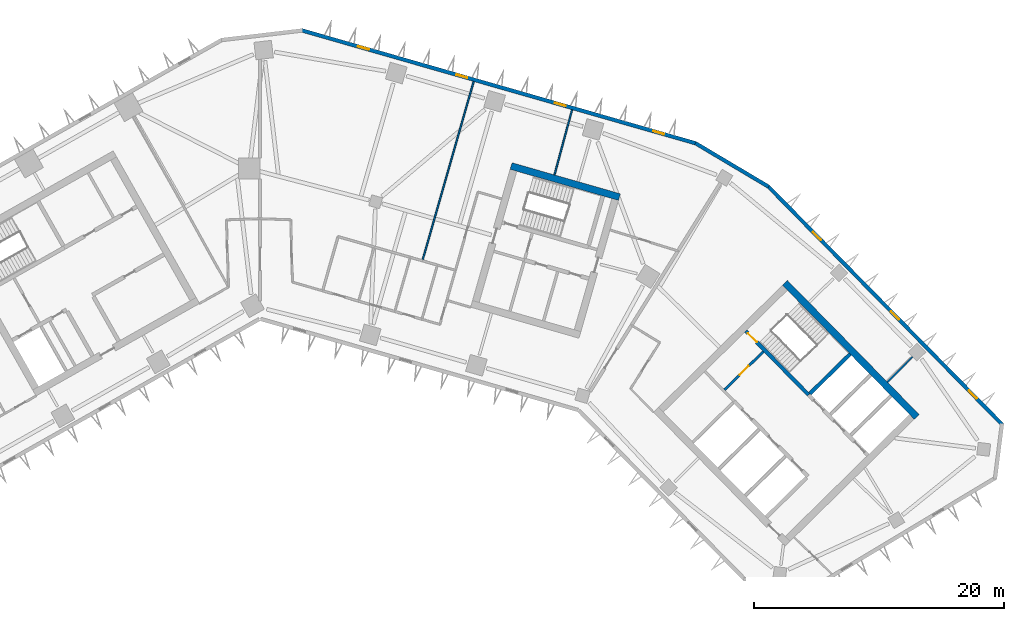
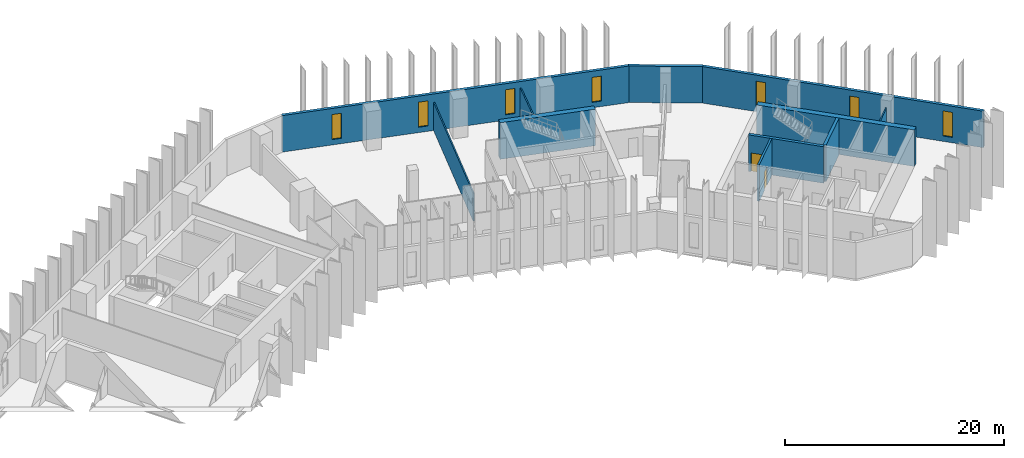
# One storey, part 7 of 11: 11 walls, 7 windows, 2 doors, 9 openings.
"""IFC4 building model written with IfcOpenShell, lengths in metres."""

from ifc_helpers import new_model, si_unit, direction, frame, frame_2d, origin, place, context, subcontext, project, spatial, rectangle, extrude, material, layer, layer_set, type_object, element, fill, save


model = new_model("IFC4")

# Units and contexts
model_context = context("Model", 3, precision=1e-05, world=origin(), true_north=direction((0.0, 1.0)))
body_context = subcontext(model_context, "Body", "Model", "MODEL_VIEW")
ifc_project = project(units=[si_unit("LENGTHUNIT", "METRE"), si_unit("AREAUNIT", "SQUARE_METRE"), si_unit("VOLUMEUNIT", "CUBIC_METRE"), si_unit("PLANEANGLEUNIT", "RADIAN"), si_unit("MASSUNIT", "GRAM", prefix="KILO")], contexts=[model_context])

# Site, building, storey
site_placement = place(None, origin())
site = spatial("IfcSite", under=ifc_project, at=site_placement, CompositionType="ELEMENT")
building_placement = place(site_placement, origin())
building = spatial("IfcBuilding", under=site, at=building_placement, Name="Binnacle Exchange Tower", CompositionType="ELEMENT")
storey_placement = place(building_placement, frame((0.0, 0.0, 97.10009765625)))
storey = spatial("IfcBuildingStorey", under=building, at=storey_placement, Name="L19", CompositionType="ELEMENT", Elevation=97.10009765625)

# Walls
ifc_material_1 = material(Name="Concrete C70/85", Category="concrete")
ifc_layer_1 = layer(ifc_material_1, 0.550048828125)
ifc_layer_set_1 = layer_set([ifc_layer_1], Name="Core wall - outer 550")
wall_type_1 = type_object("IfcWallType", Name="Core wall - outer 550", PredefinedType="SOLIDWALL", material=ifc_layer_set_1)
wall_1_placement = place(storey_placement, frame((41.934326171875, 50.873291015625, 0.0), z_axis=(0.0, 0.0, 1.0), x_axis=(0.700911255944, -0.713248491965, 0.0)))
element("IfcWall", 1, at=wall_1_placement, inside=storey, type_object=wall_type_1, Name="Core wall CRWB6", PredefinedType="SOLIDWALL", context=body_context, shape_type="SweptSolid", body=[
    extrude(rectangle(XDim=15.0, YDim=0.550048828125, at=frame_2d((7.5, 0.0))), origin(), (0.0, 0.0, 1.0), 4.079833984375),
])
wall_2_placement = place(storey_placement, frame((20.059814453125, 60.20361328125, 0.0), z_axis=(0.0, 0.0, 1.0), x_axis=(0.96126248289, -0.275634611374, 0.0)))
element("IfcWall", 2, at=wall_2_placement, inside=storey, type_object=wall_type_1, Name="Core wall CRWD6", PredefinedType="SOLIDWALL", context=body_context, shape_type="SweptSolid", body=[
    extrude(rectangle(XDim=9.0, YDim=0.550048828125, at=frame_2d((4.5, 0.0))), origin(), (0.0, 0.0, 1.0), 4.079833984375),
])

# Wall, opening, door
ifc_layer_2 = layer(ifc_material_1, 0.300048828125)
ifc_layer_set_2 = layer_set([ifc_layer_2], Name="Core wall - stair 300")
wall_type_2 = type_object("IfcWallType", Name="Core wall - stair 300", PredefinedType="SOLIDWALL", material=ifc_layer_set_2)
wall_3_placement = place(storey_placement, frame((38.806884765625, 47.029052734375, 0.0), z_axis=(0.0, 0.0, 1.0), x_axis=(0.700916852778, -0.713242991898, 0.0)))
wall_3 = element("IfcWall", 3, at=wall_3_placement, inside=storey, type_object=wall_type_2, Name="Core wall CRWB4", PredefinedType="SOLIDWALL", context=body_context, shape_type="SweptSolid", body=[
    extrude(rectangle(XDim=7.150146484375, YDim=0.300048828125, at=frame_2d((3.5751953125, 0.0))), origin(), (0.0, 0.0, 1.0), 4.079833984375),
])
opening_1_placement = place(wall_3_placement, frame((0.25, 0.0, 0.0)))
opening_1 = element("IfcOpeningElement", 4, at=opening_1_placement, cuts=wall_3, Name="Opening DB1", PredefinedType="OPENING", context=body_context, shape_type="SweptSolid", body=[
    extrude(rectangle(XDim=1.0, YDim=2.10009765625, at=frame_2d((0.5, 1.050048828125))), frame((0.0, 0.159912109375, 0.0), z_axis=(0.0, -1.0, 0.0), x_axis=(1.0, 0.0, 0.0)), (0.0, 0.0, 1.0), 0.320068359375),
])
ifc_material_2 = material(Name="Steel door leaf", Category="steel")
door_type = type_object("IfcDoorType", Name="Fire door 1000", OperationType="NOTDEFINED", PredefinedType="DOOR", material=ifc_material_2)
door_1_placement = place(opening_1_placement, origin())
door_1 = element("IfcDoor", 5, at=door_1_placement, inside=storey, type_object=door_type, Name="Stair door ST-B1", OperationType="SINGLE_SWING_LEFT", OverallHeight=2.10009765625, OverallWidth=1.0, PredefinedType="DOOR", context=body_context, shape_type="SweptSolid", body=[
    extrude(rectangle(XDim=1.0, YDim=2.10009765625, at=frame_2d((0.5, 1.050048828125))), frame((0.0, 0.02490234375, 0.0), z_axis=(0.0, -1.0, 0.0), x_axis=(1.0, 0.0, 0.0)), (0.0, 0.0, 1.0), 0.050048828125),
])
fill(opening_1, door_1)

# Walls
wall_4_placement = place(storey_placement, frame((43.925537109375, 42.034423828125, 0.0), z_axis=(0.0, 0.0, 1.0), x_axis=(0.713210801054, 0.700949608217, 0.0)))
element("IfcWall", 6, at=wall_4_placement, inside=storey, type_object=wall_type_2, Name="Core wall CRWB11", PredefinedType="SOLIDWALL", context=body_context, shape_type="SweptSolid", body=[
    extrude(rectangle(XDim=4.5, YDim=0.300048828125, at=frame_2d((2.25, 0.0))), origin(), (0.0, 0.0, 1.0), 4.079833984375),
])
ifc_material_3 = material(Name="Bronze aluminium cladding", Category="aluminium")
ifc_layer_3 = layer(ifc_material_3, 0.300048828125)
ifc_layer_set_3 = layer_set([ifc_layer_3], Name="External wall - spandrel 300")
wall_type_3 = type_object("IfcWallType", Name="External wall - spandrel 300", PredefinedType="STANDARD", material=ifc_layer_set_3)
wall_5_placement = place(storey_placement, frame((34.773193359375, 62.0341796875, 0.0), z_axis=(0.0, 0.0, 1.0), x_axis=(0.859401317772, -0.511301647769, 0.0)))
element("IfcWall", 7, at=wall_5_placement, inside=storey, type_object=wall_type_3, Name="External wall EW-F00 L19", PredefinedType="STANDARD", context=body_context, shape_type="SweptSolid", body=[
    extrude(rectangle(XDim=6.80810546875, YDim=0.300048828125, at=frame_2d((3.404052734375, 0.0))), origin(), (0.0, 0.0, 1.0), 4.079833984375),
])

# Wall, openings, windows
wall_6_placement = place(storey_placement, frame((3.33544921875, 71.043701171875, 0.0), z_axis=(0.0, 0.0, 1.0), x_axis=(0.961260130989, -0.275642813387, 0.0)))
wall_6 = element("IfcWall", 8, at=wall_6_placement, inside=storey, type_object=wall_type_3, Name="External wall EW-F01 L19", PredefinedType="STANDARD", context=body_context, shape_type="SweptSolid", body=[
    extrude(rectangle(XDim=32.7412109375, YDim=0.300048828125, at=frame_2d((16.37060546875, 0.0))), origin(), (0.0, 0.0, 1.0), 4.079833984375),
])
opening_2_placement = place(wall_6_placement, frame((29.20703125, 0.0, 0.60009765625)))
opening_2 = element("IfcOpeningElement", 9, at=opening_2_placement, cuts=wall_6, Name="Opening WS2", PredefinedType="OPENING", context=body_context, shape_type="SweptSolid", body=[
    extrude(rectangle(XDim=0.89990234375, YDim=2.800048828125, at=frame_2d((0.449951171875, 1.39990234375))), frame((0.0, 0.159912109375, 0.0), z_axis=(0.0, -1.0, 0.0), x_axis=(1.0, 0.0, 0.0)), (0.0, 0.0, 1.0), 0.320068359375),
])
opening_3_placement = place(wall_6_placement, frame((21.0341796875, 0.0, 0.60009765625)))
opening_3 = element("IfcOpeningElement", 10, at=opening_3_placement, cuts=wall_6, Name="Opening WS2", PredefinedType="OPENING", context=body_context, shape_type="SweptSolid", body=[
    extrude(rectangle(XDim=0.89990234375, YDim=2.800048828125, at=frame_2d((0.449951171875, 1.39990234375))), frame((0.0, 0.159912109375, 0.0), z_axis=(0.0, -1.0, 0.0), x_axis=(1.0, 0.0, 0.0)), (0.0, 0.0, 1.0), 0.320068359375),
])
opening_4_placement = place(wall_6_placement, frame((12.861083984375, 0.0, 0.60009765625)))
opening_4 = element("IfcOpeningElement", 11, at=opening_4_placement, cuts=wall_6, Name="Opening WS2", PredefinedType="OPENING", context=body_context, shape_type="SweptSolid", body=[
    extrude(rectangle(XDim=0.89990234375, YDim=2.800048828125, at=frame_2d((0.449951171875, 1.39990234375))), frame((0.0, 0.159912109375, 0.0), z_axis=(0.0, -1.0, 0.0), x_axis=(1.0, 0.0, 0.0)), (0.0, 0.0, 1.0), 0.320068359375),
])
opening_5_placement = place(wall_6_placement, frame((4.688232421875, 0.0, 0.60009765625)))
opening_5 = element("IfcOpeningElement", 12, at=opening_5_placement, cuts=wall_6, Name="Opening WS2", PredefinedType="OPENING", context=body_context, shape_type="SweptSolid", body=[
    extrude(rectangle(XDim=0.89990234375, YDim=2.800048828125, at=frame_2d((0.449951171875, 1.39990234375))), frame((0.0, 0.159912109375, 0.0), z_axis=(0.0, -1.0, 0.0), x_axis=(1.0, 0.0, 0.0)), (0.0, 0.0, 1.0), 0.320068359375),
])
ifc_material_4 = material(Name="Bronze anodised aluminium frame", Category="aluminium")
window_type = type_object("IfcWindowType", Name="WS2 WINDOW 900x2800", PartitioningType="SINGLE_PANEL", PredefinedType="WINDOW", material=ifc_material_4)
window_1_placement = place(opening_2_placement, origin())
window_1 = element("IfcWindow", 13, at=window_1_placement, inside=storey, type_object=window_type, Name="Window WS2 L19", OverallHeight=2.800048828125, OverallWidth=0.89990234375, PartitioningType="SINGLE_PANEL", PredefinedType="WINDOW", context=body_context, shape_type="SweptSolid", body=[
    extrude(rectangle(XDim=0.89990234375, YDim=2.800048828125, at=frame_2d((0.449951171875, 1.39990234375))), frame((0.0, 0.030029296875, 0.0), z_axis=(0.0, -1.0, 0.0), x_axis=(1.0, 0.0, 0.0)), (0.0, 0.0, 1.0), 0.06005859375),
])
fill(opening_2, window_1)
window_2_placement = place(opening_3_placement, origin())
window_2 = element("IfcWindow", 14, at=window_2_placement, inside=storey, type_object=window_type, Name="Window WS2 L19", OverallHeight=2.800048828125, OverallWidth=0.89990234375, PartitioningType="SINGLE_PANEL", PredefinedType="WINDOW", context=body_context, shape_type="SweptSolid", body=[
    extrude(rectangle(XDim=0.89990234375, YDim=2.800048828125, at=frame_2d((0.449951171875, 1.39990234375))), frame((0.0, 0.030029296875, 0.0), z_axis=(0.0, -1.0, 0.0), x_axis=(1.0, 0.0, 0.0)), (0.0, 0.0, 1.0), 0.06005859375),
])
fill(opening_3, window_2)
window_3_placement = place(opening_4_placement, origin())
window_3 = element("IfcWindow", 15, at=window_3_placement, inside=storey, type_object=window_type, Name="Window WS2 L19", OverallHeight=2.800048828125, OverallWidth=0.89990234375, PartitioningType="SINGLE_PANEL", PredefinedType="WINDOW", context=body_context, shape_type="SweptSolid", body=[
    extrude(rectangle(XDim=0.89990234375, YDim=2.800048828125, at=frame_2d((0.449951171875, 1.39990234375))), frame((0.0, 0.030029296875, 0.0), z_axis=(0.0, -1.0, 0.0), x_axis=(1.0, 0.0, 0.0)), (0.0, 0.0, 1.0), 0.06005859375),
])
fill(opening_4, window_3)
window_4_placement = place(opening_5_placement, origin())
window_4 = element("IfcWindow", 16, at=window_4_placement, inside=storey, type_object=window_type, Name="Window WS2 L19", OverallHeight=2.800048828125, OverallWidth=0.89990234375, PartitioningType="SINGLE_PANEL", PredefinedType="WINDOW", context=body_context, shape_type="SweptSolid", body=[
    extrude(rectangle(XDim=0.89990234375, YDim=2.800048828125, at=frame_2d((0.449951171875, 1.39990234375))), frame((0.0, 0.030029296875, 0.0), z_axis=(0.0, -1.0, 0.0), x_axis=(1.0, 0.0, 0.0)), (0.0, 0.0, 1.0), 0.06005859375),
])
fill(opening_5, window_4)

wall_7_placement = place(storey_placement, frame((40.59375, 58.576904296875, 0.0), z_axis=(0.0, 0.0, 1.0), x_axis=(0.700909719808, -0.713250001528, 0.0)))
wall_7 = element("IfcWall", 17, at=wall_7_placement, inside=storey, type_object=wall_type_3, Name="External wall EW-F13 L19", PredefinedType="STANDARD", context=body_context, shape_type="SweptSolid", body=[
    extrude(rectangle(XDim=26.70849609375, YDim=0.300048828125, at=frame_2d((13.354248046875, 0.0))), origin(), (0.0, 0.0, 1.0), 4.079833984375),
])
opening_6_placement = place(wall_7_placement, frame((22.8583984375, 0.0, 0.60009765625)))
opening_6 = element("IfcOpeningElement", 18, at=opening_6_placement, cuts=wall_7, Name="Opening WS2", PredefinedType="OPENING", context=body_context, shape_type="SweptSolid", body=[
    extrude(rectangle(XDim=0.89990234375, YDim=2.800048828125, at=frame_2d((0.449951171875, 1.39990234375))), frame((0.0, 0.159912109375, 0.0), z_axis=(0.0, -1.0, 0.0), x_axis=(1.0, 0.0, 0.0)), (0.0, 0.0, 1.0), 0.320068359375),
])
opening_7_placement = place(wall_7_placement, frame((13.986572265625, 0.0, 0.60009765625)))
opening_7 = element("IfcOpeningElement", 19, at=opening_7_placement, cuts=wall_7, Name="Opening WS2", PredefinedType="OPENING", context=body_context, shape_type="SweptSolid", body=[
    extrude(rectangle(XDim=0.89990234375, YDim=2.800048828125, at=frame_2d((0.449951171875, 1.39990234375))), frame((0.0, 0.159912109375, 0.0), z_axis=(0.0, -1.0, 0.0), x_axis=(1.0, 0.0, 0.0)), (0.0, 0.0, 1.0), 0.320068359375),
])
opening_8_placement = place(wall_7_placement, frame((5.114501953125, 0.0, 0.60009765625)))
opening_8 = element("IfcOpeningElement", 20, at=opening_8_placement, cuts=wall_7, Name="Opening WS2", PredefinedType="OPENING", context=body_context, shape_type="SweptSolid", body=[
    extrude(rectangle(XDim=0.89990234375, YDim=2.800048828125, at=frame_2d((0.449951171875, 1.39990234375))), frame((0.0, 0.159912109375, 0.0), z_axis=(0.0, -1.0, 0.0), x_axis=(1.0, 0.0, 0.0)), (0.0, 0.0, 1.0), 0.320068359375),
])
window_5_placement = place(opening_6_placement, origin())
window_5 = element("IfcWindow", 21, at=window_5_placement, inside=storey, type_object=window_type, Name="Window WS2 L19", OverallHeight=2.800048828125, OverallWidth=0.89990234375, PartitioningType="SINGLE_PANEL", PredefinedType="WINDOW", context=body_context, shape_type="SweptSolid", body=[
    extrude(rectangle(XDim=0.89990234375, YDim=2.800048828125, at=frame_2d((0.449951171875, 1.39990234375))), frame((0.0, 0.030029296875, 0.0), z_axis=(0.0, -1.0, 0.0), x_axis=(1.0, 0.0, 0.0)), (0.0, 0.0, 1.0), 0.06005859375),
])
fill(opening_6, window_5)
window_6_placement = place(opening_7_placement, origin())
window_6 = element("IfcWindow", 22, at=window_6_placement, inside=storey, type_object=window_type, Name="Window WS2 L19", OverallHeight=2.800048828125, OverallWidth=0.89990234375, PartitioningType="SINGLE_PANEL", PredefinedType="WINDOW", context=body_context, shape_type="SweptSolid", body=[
    extrude(rectangle(XDim=0.89990234375, YDim=2.800048828125, at=frame_2d((0.449951171875, 1.39990234375))), frame((0.0, 0.030029296875, 0.0), z_axis=(0.0, -1.0, 0.0), x_axis=(1.0, 0.0, 0.0)), (0.0, 0.0, 1.0), 0.06005859375),
])
fill(opening_7, window_6)
window_7_placement = place(opening_8_placement, origin())
window_7 = element("IfcWindow", 23, at=window_7_placement, inside=storey, type_object=window_type, Name="Window WS2 L19", OverallHeight=2.800048828125, OverallWidth=0.89990234375, PartitioningType="SINGLE_PANEL", PredefinedType="WINDOW", context=body_context, shape_type="SweptSolid", body=[
    extrude(rectangle(XDim=0.89990234375, YDim=2.800048828125, at=frame_2d((0.449951171875, 1.39990234375))), frame((0.0, 0.030029296875, 0.0), z_axis=(0.0, -1.0, 0.0), x_axis=(1.0, 0.0, 0.0)), (0.0, 0.0, 1.0), 0.06005859375),
])
fill(opening_8, window_7)

# Wall, opening, door
ifc_material_5 = material(Name="Masonry block wall", Category="masonry")
ifc_layer_4 = layer(ifc_material_5, 0.199951171875)
ifc_layer_set_4 = layer_set([ifc_layer_4], Name="Fire wall - vestibule 200")
wall_type_4 = type_object("IfcWallType", Name="Fire wall - vestibule 200", PredefinedType="PARTITIONING", material=ifc_layer_set_4)
wall_8_placement = place(storey_placement, frame((37.104248046875, 42.341552734375, 0.0), z_axis=(0.0, 0.0, 1.0), x_axis=(0.713281298468, 0.700877870428, 0.0)))
wall_8 = element("IfcWall", 24, at=wall_8_placement, inside=storey, type_object=wall_type_4, Name="Core wall CRWB8", PredefinedType="PARTITIONING", context=body_context, shape_type="SweptSolid", body=[
    extrude(rectangle(XDim=4.35009765625, YDim=0.199951171875, at=frame_2d((2.175048828125, 0.0))), origin(), (0.0, 0.0, 1.0), 4.079833984375),
])
opening_9_placement = place(wall_8_placement, frame((1.699951171875, 0.0, 0.0)))
opening_9 = element("IfcOpeningElement", 25, at=opening_9_placement, cuts=wall_8, Name="Opening DB3", PredefinedType="OPENING", context=body_context, shape_type="SweptSolid", body=[
    extrude(rectangle(XDim=1.0, YDim=2.10009765625, at=frame_2d((0.5, 1.050048828125))), frame((0.0, 0.10986328125, 0.0), z_axis=(0.0, -1.0, 0.0), x_axis=(1.0, 0.0, 0.0)), (0.0, 0.0, 1.0), 0.219970703125),
])
door_2_placement = place(opening_9_placement, origin())
door_2 = element("IfcDoor", 26, at=door_2_placement, inside=storey, type_object=door_type, Name="Vestibule door VEST-W", OperationType="SINGLE_SWING_RIGHT", OverallHeight=2.10009765625, OverallWidth=1.0, PredefinedType="DOOR", context=body_context, shape_type="SweptSolid", body=[
    extrude(rectangle(XDim=1.0, YDim=2.10009765625, at=frame_2d((0.5, 1.050048828125))), frame((0.0, 0.02490234375, 0.0), z_axis=(0.0, -1.0, 0.0), x_axis=(1.0, 0.0, 0.0)), (0.0, 0.0, 1.0), 0.050048828125),
])
fill(opening_9, door_2)

# Walls
ifc_material_6 = material(Name="Gypsum partition")
ifc_layer_5 = layer(ifc_material_6, 0.125)
ifc_layer_set_5 = layer_set([ifc_layer_5], Name="Partition 125")
wall_type_5 = type_object("IfcWallType", Name="Partition 125", PredefinedType="PARTITIONING", material=ifc_layer_set_5)
wall_9_placement = place(storey_placement, frame((12.97412109375, 52.638916015625, 0.0), z_axis=(0.0, 0.0, 1.0), x_axis=(0.275299463768, 0.961358520662, 0.0)))
element("IfcWall", 27, at=wall_9_placement, inside=storey, type_object=wall_type_5, Name="Partition W28", PredefinedType="PARTITIONING", context=body_context, shape_type="SweptSolid", body=[
    extrude(rectangle(XDim=14.88525390625, YDim=0.125, at=frame_2d((7.442626953125, 0.0))), origin(), (0.0, 0.0, 1.0), 3.141845703125),
])
wall_10_placement = place(storey_placement, frame((23.52294921875, 59.4970703125, 0.0), z_axis=(0.0, 0.0, 1.0), x_axis=(0.261275557939, 0.965264255437, 0.0)))
element("IfcWall", 28, at=wall_10_placement, inside=storey, type_object=wall_type_5, Name="Partition W35", PredefinedType="PARTITIONING", context=body_context, shape_type="SweptSolid", body=[
    extrude(rectangle(XDim=5.385009765625, YDim=0.125, at=frame_2d((2.6923828125, 0.0))), origin(), (0.0, 0.0, 1.0), 3.35986328125),
])
wall_11_placement = place(storey_placement, frame((50.111083984375, 42.945068359375, 0.0), z_axis=(0.0, 0.0, 1.0), x_axis=(0.703595931147, 0.710600285445, 0.0)))
element("IfcWall", 29, at=wall_11_placement, inside=storey, type_object=wall_type_5, Name="Partition W44", PredefinedType="PARTITIONING", context=body_context, shape_type="SweptSolid", body=[
    extrude(rectangle(XDim=2.858154296875, YDim=0.125, at=frame_2d((1.42919921875, 0.0))), origin(), (0.0, 0.0, 1.0), 3.60986328125),
])

save(model, "model.ifc")
